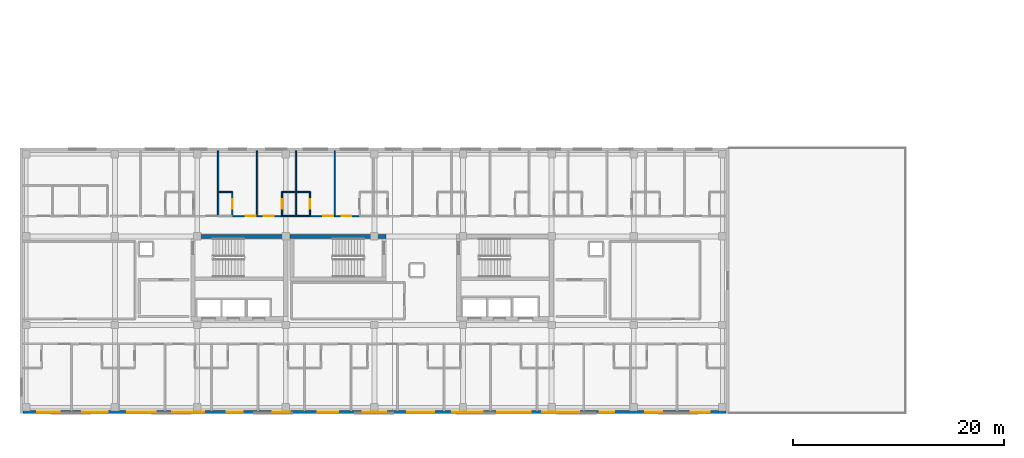
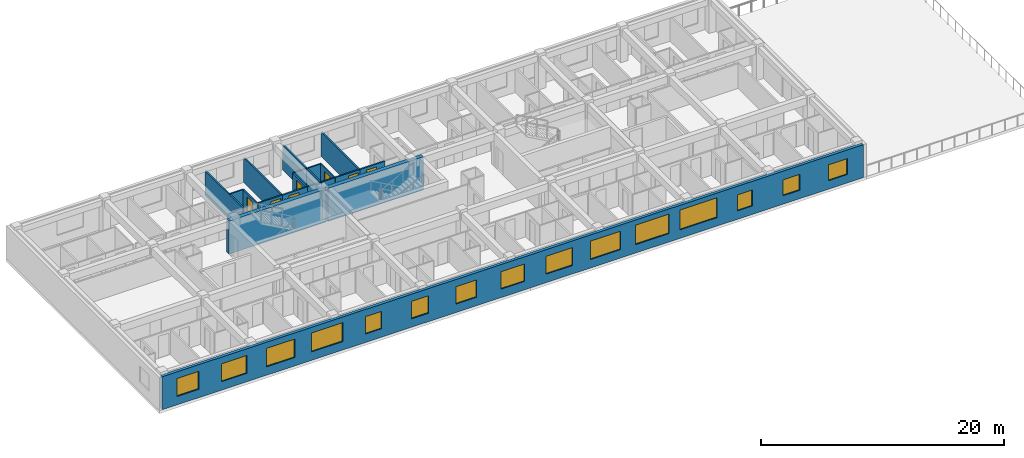
# One storey, part 5 of 13: 19 walls, 15 windows, 7 doors, 22 openings.
"""IFC4 building model written with IfcOpenShell, lengths in metres."""

from ifc_helpers import new_model, si_unit, direction, frame, frame_2d, origin, place, context, subcontext, project, spatial, rectangle, extrude, material, layer, layer_set, type_object, element, fill, save


model = new_model("IFC4")

# Units and contexts
model_context = context("Model", 3, precision=1e-05, world=origin(), true_north=direction((0.0, 1.0)))
body_context = subcontext(model_context, "Body", "Model", "MODEL_VIEW")
ifc_project = project(units=[si_unit("LENGTHUNIT", "METRE"), si_unit("AREAUNIT", "SQUARE_METRE"), si_unit("VOLUMEUNIT", "CUBIC_METRE"), si_unit("PLANEANGLEUNIT", "RADIAN"), si_unit("MASSUNIT", "GRAM", prefix="KILO")], contexts=[model_context])

# Site, building, storey
site_placement = place(None, origin())
site = spatial("IfcSite", under=ifc_project, at=site_placement, CompositionType="ELEMENT")
building_placement = place(site_placement, origin())
building = spatial("IfcBuilding", under=site, at=building_placement, Name="Zayran Congress Hotel", CompositionType="ELEMENT")
storey_placement = place(building_placement, frame((0.0, 0.0, 22.800048828125)))
storey = spatial("IfcBuildingStorey", under=building, at=storey_placement, Name="L05", CompositionType="ELEMENT", Elevation=22.800048828125)

# Wall, openings, windows
ifc_material_1 = material(Name="Hajar Ma'ani limestone cavity wall and concrete C32/40", Category="masonry")
ifc_layer_1 = layer(ifc_material_1, 0.280029296875)
ifc_layer_set_1 = layer_set([ifc_layer_1], Name="Hajar Ma'ani limestone cavity wall and concrete C32/40")
wall_type_1 = type_object("IfcWallType", Name="WL-EX-280", PredefinedType="SOLIDWALL", material=ifc_layer_set_1)
wall_1_placement = place(storey_placement, frame((75.320068359375, 8.93994140625, 0.0), z_axis=(0.0, 0.0, 1.0), x_axis=(-1.0, 0.0, 0.0)))
wall_1 = element("IfcWall", 1, at=wall_1_placement, inside=storey, type_object=wall_type_1, Name="EW-V5-S-L05", PredefinedType="SOLIDWALL", context=body_context, shape_type="SweptSolid", body=[
    extrude(rectangle(XDim=66.64013671875, YDim=0.280029296875, at=frame_2d((33.320068359375, 0.0))), origin(), (0.0, 0.0, 1.0), 3.320068359375),
])
opening_1_placement = place(wall_1_placement, frame((63.1630859375, 0.0, 0.85009765625)))
opening_1 = element("IfcOpeningElement", 2, at=opening_1_placement, cuts=wall_1, Name="Opening WN-02", PredefinedType="OPENING", context=body_context, shape_type="SweptSolid", body=[
    extrude(rectangle(XDim=2.10009765625, YDim=1.800048828125, at=frame_2d((1.050048828125, 0.89990234375))), frame((0.0, 0.14990234375, 0.0), z_axis=(0.0, -1.0, 0.0), x_axis=(1.0, 0.0, 0.0)), (0.0, 0.0, 1.0), 0.300048828125),
])
opening_2_placement = place(wall_1_placement, frame((58.60009765625, 0.0, 0.85009765625)))
opening_2 = element("IfcOpeningElement", 3, at=opening_2_placement, cuts=wall_1, Name="Opening WN-03", PredefinedType="OPENING", context=body_context, shape_type="SweptSolid", body=[
    extrude(rectangle(XDim=2.39990234375, YDim=1.800048828125, at=frame_2d((1.199951171875, 0.89990234375))), frame((0.0, 0.14990234375, 0.0), z_axis=(0.0, -1.0, 0.0), x_axis=(1.0, 0.0, 0.0)), (0.0, 0.0, 1.0), 0.300048828125),
])
opening_3_placement = place(wall_1_placement, frame((54.035888671875, 0.0, 0.85009765625)))
opening_3 = element("IfcOpeningElement", 4, at=opening_3_placement, cuts=wall_1, Name="Opening WN-04", PredefinedType="OPENING", context=body_context, shape_type="SweptSolid", body=[
    extrude(rectangle(XDim=2.699951171875, YDim=1.85009765625, at=frame_2d((1.35009765625, 0.925048828125))), frame((0.0, 0.14990234375, 0.0), z_axis=(0.0, -1.0, 0.0), x_axis=(1.0, 0.0, 0.0)), (0.0, 0.0, 1.0), 0.300048828125),
])
opening_4_placement = place(wall_1_placement, frame((49.472900390625, 0.0, 0.85009765625)))
opening_4 = element("IfcOpeningElement", 5, at=opening_4_placement, cuts=wall_1, Name="Opening WN-05", PredefinedType="OPENING", context=body_context, shape_type="SweptSolid", body=[
    extrude(rectangle(XDim=3.0, YDim=1.89990234375, at=frame_2d((1.5, 0.949951171875))), frame((0.0, 0.14990234375, 0.0), z_axis=(0.0, -1.0, 0.0), x_axis=(1.0, 0.0, 0.0)), (0.0, 0.0, 1.0), 0.300048828125),
])
opening_5_placement = place(wall_1_placement, frame((45.81005859375, 0.0, 0.85009765625)))
opening_5 = element("IfcOpeningElement", 6, at=opening_5_placement, cuts=wall_1, Name="Opening WN-06", PredefinedType="OPENING", context=body_context, shape_type="SweptSolid", body=[
    extrude(rectangle(XDim=1.5, YDim=1.75, at=frame_2d((0.75, 0.875))), frame((0.0, 0.14990234375, 0.0), z_axis=(0.0, -1.0, 0.0), x_axis=(1.0, 0.0, 0.0)), (0.0, 0.0, 1.0), 0.300048828125),
])
opening_6_placement = place(wall_1_placement, frame((41.321044921875, 0.0, 0.85009765625)))
opening_6 = element("IfcOpeningElement", 7, at=opening_6_placement, cuts=wall_1, Name="Opening WN-07", PredefinedType="OPENING", context=body_context, shape_type="SweptSolid", body=[
    extrude(rectangle(XDim=1.64990234375, YDim=1.75, at=frame_2d((0.824951171875, 0.875))), frame((0.0, 0.14990234375, 0.0), z_axis=(0.0, -1.0, 0.0), x_axis=(1.0, 0.0, 0.0)), (0.0, 0.0, 1.0), 0.300048828125),
])
opening_7_placement = place(wall_1_placement, frame((36.758056640625, 0.0, 0.85009765625)))
opening_7 = element("IfcOpeningElement", 8, at=opening_7_placement, cuts=wall_1, Name="Opening WN-08", PredefinedType="OPENING", context=body_context, shape_type="SweptSolid", body=[
    extrude(rectangle(XDim=1.949951171875, YDim=1.75, at=frame_2d((0.97509765625, 0.875))), frame((0.0, 0.14990234375, 0.0), z_axis=(0.0, -1.0, 0.0), x_axis=(1.0, 0.0, 0.0)), (0.0, 0.0, 1.0), 0.300048828125),
])
opening_8_placement = place(wall_1_placement, frame((32.195068359375, 0.0, 0.85009765625)))
opening_8 = element("IfcOpeningElement", 9, at=opening_8_placement, cuts=wall_1, Name="Opening WN-09", PredefinedType="OPENING", context=body_context, shape_type="SweptSolid", body=[
    extrude(rectangle(XDim=2.25, YDim=1.75, at=frame_2d((1.125, 0.875))), frame((0.0, 0.14990234375, 0.0), z_axis=(0.0, -1.0, 0.0), x_axis=(1.0, 0.0, 0.0)), (0.0, 0.0, 1.0), 0.300048828125),
])
opening_9_placement = place(wall_1_placement, frame((27.631103515625, 0.0, 0.85009765625)))
opening_9 = element("IfcOpeningElement", 10, at=opening_9_placement, cuts=wall_1, Name="Opening WN-10", PredefinedType="OPENING", context=body_context, shape_type="SweptSolid", body=[
    extrude(rectangle(XDim=2.550048828125, YDim=1.800048828125, at=frame_2d((1.27490234375, 0.89990234375))), frame((0.0, 0.14990234375, 0.0), z_axis=(0.0, -1.0, 0.0), x_axis=(1.0, 0.0, 0.0)), (0.0, 0.0, 1.0), 0.300048828125),
])
opening_10_placement = place(wall_1_placement, frame((23.068115234375, 0.0, 0.85009765625)))
opening_10 = element("IfcOpeningElement", 11, at=opening_10_placement, cuts=wall_1, Name="Opening WN-11", PredefinedType="OPENING", context=body_context, shape_type="SweptSolid", body=[
    extrude(rectangle(XDim=2.85009765625, YDim=1.85009765625, at=frame_2d((1.425048828125, 0.925048828125))), frame((0.0, 0.14990234375, 0.0), z_axis=(0.0, -1.0, 0.0), x_axis=(1.0, 0.0, 0.0)), (0.0, 0.0, 1.0), 0.300048828125),
])
opening_11_placement = place(wall_1_placement, frame((18.47998046875, 0.0, 0.85009765625)))
opening_11 = element("IfcOpeningElement", 12, at=opening_11_placement, cuts=wall_1, Name="Opening WN-12", PredefinedType="OPENING", context=body_context, shape_type="SweptSolid", body=[
    extrude(rectangle(XDim=3.199951171875, YDim=1.949951171875, at=frame_2d((1.60009765625, 0.97509765625))), frame((0.0, 0.14990234375, 0.0), z_axis=(0.0, -1.0, 0.0), x_axis=(1.0, 0.0, 0.0)), (0.0, 0.0, 1.0), 0.300048828125),
])
opening_12_placement = place(wall_1_placement, frame((13.916015625, 0.0, 0.85009765625)))
opening_12 = element("IfcOpeningElement", 13, at=opening_12_placement, cuts=wall_1, Name="Opening WN-13", PredefinedType="OPENING", context=body_context, shape_type="SweptSolid", body=[
    extrude(rectangle(XDim=3.5, YDim=2.0, at=frame_2d((1.75, 1.0))), frame((0.0, 0.14990234375, 0.0), z_axis=(0.0, -1.0, 0.0), x_axis=(1.0, 0.0, 0.0)), (0.0, 0.0, 1.0), 0.300048828125),
])
opening_13_placement = place(wall_1_placement, frame((10.553955078125, 0.0, 0.85009765625)))
opening_13 = element("IfcOpeningElement", 14, at=opening_13_placement, cuts=wall_1, Name="Opening WN-14", PredefinedType="OPENING", context=body_context, shape_type="SweptSolid", body=[
    extrude(rectangle(XDim=1.39990234375, YDim=1.60009765625, at=frame_2d((0.699951171875, 0.800048828125))), frame((0.0, 0.14990234375, 0.0), z_axis=(0.0, -1.0, 0.0), x_axis=(1.0, 0.0, 0.0)), (0.0, 0.0, 1.0), 0.300048828125),
])
opening_14_placement = place(wall_1_placement, frame((6.0400390625, 0.0, 0.85009765625)))
opening_14 = element("IfcOpeningElement", 15, at=opening_14_placement, cuts=wall_1, Name="Opening WN-15", PredefinedType="OPENING", context=body_context, shape_type="SweptSolid", body=[
    extrude(rectangle(XDim=1.60009765625, YDim=1.60009765625, at=frame_2d((0.800048828125, 0.800048828125))), frame((0.0, 0.14990234375, 0.0), z_axis=(0.0, -1.0, 0.0), x_axis=(1.0, 0.0, 0.0)), (0.0, 0.0, 1.0), 0.300048828125),
])
opening_15_placement = place(wall_1_placement, frame((1.527099609375, 0.0, 0.85009765625)))
opening_15 = element("IfcOpeningElement", 16, at=opening_15_placement, cuts=wall_1, Name="Opening WN-16", PredefinedType="OPENING", context=body_context, shape_type="SweptSolid", body=[
    extrude(rectangle(XDim=1.800048828125, YDim=1.60009765625, at=frame_2d((0.89990234375, 0.800048828125))), frame((0.0, 0.14990234375, 0.0), z_axis=(0.0, -1.0, 0.0), x_axis=(1.0, 0.0, 0.0)), (0.0, 0.0, 1.0), 0.300048828125),
])
ifc_material_2 = material(Name="Anodised aluminium and low-E insulated glass", Category="aluminium")
window_type_1 = type_object("IfcWindowType", Name="TP-WN-02", PartitioningType="DOUBLE_PANEL_VERTICAL", PredefinedType="WINDOW", material=ifc_material_2)
window_1_placement = place(opening_1_placement, origin())
window_1 = element("IfcWindow", 17, at=window_1_placement, inside=storey, type_object=window_type_1, Name="WIN-V5S-L05-0302", OverallHeight=1.800048828125, OverallWidth=2.10009765625, PartitioningType="SINGLE_PANEL", PredefinedType="WINDOW", context=body_context, shape_type="SweptSolid", body=[
    extrude(rectangle(XDim=2.10009765625, YDim=1.800048828125, at=frame_2d((1.050048828125, 0.89990234375))), frame((0.0, 0.030029296875, 0.0), z_axis=(0.0, -1.0, 0.0), x_axis=(1.0, 0.0, 0.0)), (0.0, 0.0, 1.0), 0.06005859375),
])
fill(opening_1, window_1)
window_type_2 = type_object("IfcWindowType", Name="TP-WN-03", PartitioningType="DOUBLE_PANEL_VERTICAL", PredefinedType="WINDOW", material=ifc_material_2)
window_2_placement = place(opening_2_placement, origin())
window_2 = element("IfcWindow", 18, at=window_2_placement, inside=storey, type_object=window_type_2, Name="WIN-V5S-L05-0303", OverallHeight=1.800048828125, OverallWidth=2.39990234375, PartitioningType="SINGLE_PANEL", PredefinedType="WINDOW", context=body_context, shape_type="SweptSolid", body=[
    extrude(rectangle(XDim=2.39990234375, YDim=1.800048828125, at=frame_2d((1.199951171875, 0.89990234375))), frame((0.0, 0.030029296875, 0.0), z_axis=(0.0, -1.0, 0.0), x_axis=(1.0, 0.0, 0.0)), (0.0, 0.0, 1.0), 0.06005859375),
])
fill(opening_2, window_2)
window_type_3 = type_object("IfcWindowType", Name="TP-WN-04", PartitioningType="TRIPLE_PANEL_VERTICAL", PredefinedType="WINDOW", material=ifc_material_2)
window_3_placement = place(opening_3_placement, origin())
window_3 = element("IfcWindow", 19, at=window_3_placement, inside=storey, type_object=window_type_3, Name="WIN-V5S-L05-0304", OverallHeight=1.85009765625, OverallWidth=2.699951171875, PartitioningType="SINGLE_PANEL", PredefinedType="WINDOW", context=body_context, shape_type="SweptSolid", body=[
    extrude(rectangle(XDim=2.699951171875, YDim=1.85009765625, at=frame_2d((1.35009765625, 0.925048828125))), frame((0.0, 0.030029296875, 0.0), z_axis=(0.0, -1.0, 0.0), x_axis=(1.0, 0.0, 0.0)), (0.0, 0.0, 1.0), 0.06005859375),
])
fill(opening_3, window_3)
window_type_4 = type_object("IfcWindowType", Name="TP-WN-05", PartitioningType="TRIPLE_PANEL_VERTICAL", PredefinedType="WINDOW", material=ifc_material_2)
window_4_placement = place(opening_4_placement, origin())
window_4 = element("IfcWindow", 20, at=window_4_placement, inside=storey, type_object=window_type_4, Name="WIN-V5S-L05-0305", OverallHeight=1.89990234375, OverallWidth=3.0, PartitioningType="SINGLE_PANEL", PredefinedType="WINDOW", context=body_context, shape_type="SweptSolid", body=[
    extrude(rectangle(XDim=3.0, YDim=1.89990234375, at=frame_2d((1.5, 0.949951171875))), frame((0.0, 0.030029296875, 0.0), z_axis=(0.0, -1.0, 0.0), x_axis=(1.0, 0.0, 0.0)), (0.0, 0.0, 1.0), 0.06005859375),
])
fill(opening_4, window_4)
window_type_5 = type_object("IfcWindowType", Name="TP-WN-06", PartitioningType="SINGLE_PANEL", PredefinedType="WINDOW", material=ifc_material_2)
window_5_placement = place(opening_5_placement, origin())
window_5 = element("IfcWindow", 21, at=window_5_placement, inside=storey, type_object=window_type_5, Name="WIN-V5S-L05-0306", OverallHeight=1.75, OverallWidth=1.5, PartitioningType="SINGLE_PANEL", PredefinedType="WINDOW", context=body_context, shape_type="SweptSolid", body=[
    extrude(rectangle(XDim=1.5, YDim=1.75, at=frame_2d((0.75, 0.875))), frame((0.0, 0.030029296875, 0.0), z_axis=(0.0, -1.0, 0.0), x_axis=(1.0, 0.0, 0.0)), (0.0, 0.0, 1.0), 0.06005859375),
])
fill(opening_5, window_5)
window_type_6 = type_object("IfcWindowType", Name="TP-WN-07", PartitioningType="SINGLE_PANEL", PredefinedType="WINDOW", material=ifc_material_2)
window_6_placement = place(opening_6_placement, origin())
window_6 = element("IfcWindow", 22, at=window_6_placement, inside=storey, type_object=window_type_6, Name="WIN-V5S-L05-0307", OverallHeight=1.75, OverallWidth=1.64990234375, PartitioningType="SINGLE_PANEL", PredefinedType="WINDOW", context=body_context, shape_type="SweptSolid", body=[
    extrude(rectangle(XDim=1.64990234375, YDim=1.75, at=frame_2d((0.824951171875, 0.875))), frame((0.0, 0.030029296875, 0.0), z_axis=(0.0, -1.0, 0.0), x_axis=(1.0, 0.0, 0.0)), (0.0, 0.0, 1.0), 0.06005859375),
])
fill(opening_6, window_6)
window_type_7 = type_object("IfcWindowType", Name="TP-WN-08", PartitioningType="DOUBLE_PANEL_VERTICAL", PredefinedType="WINDOW", material=ifc_material_2)
window_7_placement = place(opening_7_placement, origin())
window_7 = element("IfcWindow", 23, at=window_7_placement, inside=storey, type_object=window_type_7, Name="WIN-V5S-L05-0308", OverallHeight=1.75, OverallWidth=1.949951171875, PartitioningType="SINGLE_PANEL", PredefinedType="WINDOW", context=body_context, shape_type="SweptSolid", body=[
    extrude(rectangle(XDim=1.949951171875, YDim=1.75, at=frame_2d((0.97509765625, 0.875))), frame((0.0, 0.030029296875, 0.0), z_axis=(0.0, -1.0, 0.0), x_axis=(1.0, 0.0, 0.0)), (0.0, 0.0, 1.0), 0.06005859375),
])
fill(opening_7, window_7)
window_type_8 = type_object("IfcWindowType", Name="TP-WN-09", PartitioningType="DOUBLE_PANEL_VERTICAL", PredefinedType="WINDOW", material=ifc_material_2)
window_8_placement = place(opening_8_placement, origin())
window_8 = element("IfcWindow", 24, at=window_8_placement, inside=storey, type_object=window_type_8, Name="WIN-V5S-L05-0309", OverallHeight=1.75, OverallWidth=2.25, PartitioningType="SINGLE_PANEL", PredefinedType="WINDOW", context=body_context, shape_type="SweptSolid", body=[
    extrude(rectangle(XDim=2.25, YDim=1.75, at=frame_2d((1.125, 0.875))), frame((0.0, 0.030029296875, 0.0), z_axis=(0.0, -1.0, 0.0), x_axis=(1.0, 0.0, 0.0)), (0.0, 0.0, 1.0), 0.06005859375),
])
fill(opening_8, window_8)
window_type_9 = type_object("IfcWindowType", Name="TP-WN-10", PartitioningType="DOUBLE_PANEL_VERTICAL", PredefinedType="WINDOW", material=ifc_material_2)
window_9_placement = place(opening_9_placement, origin())
window_9 = element("IfcWindow", 25, at=window_9_placement, inside=storey, type_object=window_type_9, Name="WIN-V5S-L05-0310", OverallHeight=1.800048828125, OverallWidth=2.550048828125, PartitioningType="SINGLE_PANEL", PredefinedType="WINDOW", context=body_context, shape_type="SweptSolid", body=[
    extrude(rectangle(XDim=2.550048828125, YDim=1.800048828125, at=frame_2d((1.27490234375, 0.89990234375))), frame((0.0, 0.030029296875, 0.0), z_axis=(0.0, -1.0, 0.0), x_axis=(1.0, 0.0, 0.0)), (0.0, 0.0, 1.0), 0.06005859375),
])
fill(opening_9, window_9)
window_type_10 = type_object("IfcWindowType", Name="TP-WN-11", PartitioningType="TRIPLE_PANEL_VERTICAL", PredefinedType="WINDOW", material=ifc_material_2)
window_10_placement = place(opening_10_placement, origin())
window_10 = element("IfcWindow", 26, at=window_10_placement, inside=storey, type_object=window_type_10, Name="WIN-V5S-L05-0311", OverallHeight=1.85009765625, OverallWidth=2.85009765625, PartitioningType="SINGLE_PANEL", PredefinedType="WINDOW", context=body_context, shape_type="SweptSolid", body=[
    extrude(rectangle(XDim=2.85009765625, YDim=1.85009765625, at=frame_2d((1.425048828125, 0.925048828125))), frame((0.0, 0.030029296875, 0.0), z_axis=(0.0, -1.0, 0.0), x_axis=(1.0, 0.0, 0.0)), (0.0, 0.0, 1.0), 0.06005859375),
])
fill(opening_10, window_10)
window_type_11 = type_object("IfcWindowType", Name="TP-WN-12", PartitioningType="TRIPLE_PANEL_VERTICAL", PredefinedType="WINDOW", material=ifc_material_2)
window_11_placement = place(opening_11_placement, origin())
window_11 = element("IfcWindow", 27, at=window_11_placement, inside=storey, type_object=window_type_11, Name="WIN-V5S-L05-0312", OverallHeight=1.949951171875, OverallWidth=3.199951171875, PartitioningType="SINGLE_PANEL", PredefinedType="WINDOW", context=body_context, shape_type="SweptSolid", body=[
    extrude(rectangle(XDim=3.199951171875, YDim=1.949951171875, at=frame_2d((1.60009765625, 0.97509765625))), frame((0.0, 0.030029296875, 0.0), z_axis=(0.0, -1.0, 0.0), x_axis=(1.0, 0.0, 0.0)), (0.0, 0.0, 1.0), 0.06005859375),
])
fill(opening_11, window_11)
window_type_12 = type_object("IfcWindowType", Name="TP-WN-13", PartitioningType="TRIPLE_PANEL_VERTICAL", PredefinedType="WINDOW", material=ifc_material_2)
window_12_placement = place(opening_12_placement, origin())
window_12 = element("IfcWindow", 28, at=window_12_placement, inside=storey, type_object=window_type_12, Name="WIN-V5S-L05-0313", OverallHeight=2.0, OverallWidth=3.5, PartitioningType="SINGLE_PANEL", PredefinedType="WINDOW", context=body_context, shape_type="SweptSolid", body=[
    extrude(rectangle(XDim=3.5, YDim=2.0, at=frame_2d((1.75, 1.0))), frame((0.0, 0.030029296875, 0.0), z_axis=(0.0, -1.0, 0.0), x_axis=(1.0, 0.0, 0.0)), (0.0, 0.0, 1.0), 0.06005859375),
])
fill(opening_12, window_12)
window_type_13 = type_object("IfcWindowType", Name="TP-WN-14", PartitioningType="SINGLE_PANEL", PredefinedType="WINDOW", material=ifc_material_2)
window_13_placement = place(opening_13_placement, origin())
window_13 = element("IfcWindow", 29, at=window_13_placement, inside=storey, type_object=window_type_13, Name="WIN-V5S-L05-0314", OverallHeight=1.60009765625, OverallWidth=1.39990234375, PartitioningType="SINGLE_PANEL", PredefinedType="WINDOW", context=body_context, shape_type="SweptSolid", body=[
    extrude(rectangle(XDim=1.39990234375, YDim=1.60009765625, at=frame_2d((0.699951171875, 0.800048828125))), frame((0.0, 0.030029296875, 0.0), z_axis=(0.0, -1.0, 0.0), x_axis=(1.0, 0.0, 0.0)), (0.0, 0.0, 1.0), 0.06005859375),
])
fill(opening_13, window_13)
window_type_14 = type_object("IfcWindowType", Name="TP-WN-15", PartitioningType="SINGLE_PANEL", PredefinedType="WINDOW", material=ifc_material_2)
window_14_placement = place(opening_14_placement, origin())
window_14 = element("IfcWindow", 30, at=window_14_placement, inside=storey, type_object=window_type_14, Name="WIN-V5S-L05-0315", OverallHeight=1.60009765625, OverallWidth=1.60009765625, PartitioningType="SINGLE_PANEL", PredefinedType="WINDOW", context=body_context, shape_type="SweptSolid", body=[
    extrude(rectangle(XDim=1.60009765625, YDim=1.60009765625, at=frame_2d((0.800048828125, 0.800048828125))), frame((0.0, 0.030029296875, 0.0), z_axis=(0.0, -1.0, 0.0), x_axis=(1.0, 0.0, 0.0)), (0.0, 0.0, 1.0), 0.06005859375),
])
fill(opening_14, window_14)
window_type_15 = type_object("IfcWindowType", Name="TP-WN-16", PartitioningType="DOUBLE_PANEL_VERTICAL", PredefinedType="WINDOW", material=ifc_material_2)
window_15_placement = place(opening_15_placement, origin())
window_15 = element("IfcWindow", 31, at=window_15_placement, inside=storey, type_object=window_type_15, Name="WIN-V5S-L05-0316", OverallHeight=1.60009765625, OverallWidth=1.800048828125, PartitioningType="SINGLE_PANEL", PredefinedType="WINDOW", context=body_context, shape_type="SweptSolid", body=[
    extrude(rectangle(XDim=1.800048828125, YDim=1.60009765625, at=frame_2d((0.89990234375, 0.800048828125))), frame((0.0, 0.030029296875, 0.0), z_axis=(0.0, -1.0, 0.0), x_axis=(1.0, 0.0, 0.0)), (0.0, 0.0, 1.0), 0.06005859375),
])
fill(opening_15, window_15)

# Walls
ifc_material_3 = material(Name="Concrete C40/50", Category="concrete")
ifc_layer_2 = layer(ifc_material_3, 0.39990234375)
ifc_layer_set_2 = layer_set([ifc_layer_2], Name="Concrete C40/50")
wall_type_2 = type_object("IfcWallType", Name="WL-SH-400", PredefinedType="SHEAR", material=ifc_layer_set_2)
wall_2_placement = place(storey_placement, frame((33.800048828125, 25.5849609375, 0.0), z_axis=(0.0, 0.0, 1.0), x_axis=(-1.0, 0.0, 0.0)))
element("IfcWall", 32, at=wall_2_placement, inside=storey, type_object=wall_type_2, Name="CWALL-C-V5W-L05-N", PredefinedType="SHEAR", context=body_context, shape_type="SweptSolid", body=[
    extrude(rectangle(XDim=9.199951171875, YDim=0.39990234375, at=frame_2d((4.60009765625, 0.0))), origin(), (0.0, 0.0, 1.0), 3.320068359375),
])
wall_3_placement = place(storey_placement, frame((43.10009765625, 25.5849609375, 0.0), z_axis=(0.0, 0.0, 1.0), x_axis=(-1.0, 0.0, 0.0)))
element("IfcWall", 33, at=wall_3_placement, inside=storey, type_object=wall_type_2, Name="CWALL-C-V5M-L05-N", PredefinedType="SHEAR", context=body_context, shape_type="SweptSolid", body=[
    extrude(rectangle(XDim=9.10009765625, YDim=0.39990234375, at=frame_2d((4.550048828125, 0.0))), origin(), (0.0, 0.0, 1.0), 3.320068359375),
])

# Wall, opening, door
ifc_material_4 = material(Name="Hospitality guestroom acoustic partition", Category="gypsum")
ifc_layer_3 = layer(ifc_material_4, 0.139892578125)
ifc_layer_set_3 = layer_set([ifc_layer_3], Name="Hospitality guestroom acoustic partition")
wall_type_3 = type_object("IfcWallType", Name="WL-PT-140", PredefinedType="PARTITIONING", material=ifc_layer_set_3)
wall_4_placement = place(storey_placement, frame((28.529052734375, 27.530029296875, 0.0), z_axis=(0.0, 0.0, 1.0), x_axis=(1.0, 0.0, 0.0)))
wall_4 = element("IfcWall", 34, at=wall_4_placement, inside=storey, type_object=wall_type_3, Name="IW-L05-0676", PredefinedType="PARTITIONING", context=body_context, shape_type="SweptSolid", body=[
    extrude(rectangle(XDim=2.344970703125, YDim=0.139892578125, at=frame_2d((1.17236328125, 0.0))), origin(), (0.0, 0.0, 1.0), 2.47998046875),
])
opening_16_placement = place(wall_4_placement, frame((1.264892578125, 0.0, 0.0)))
opening_16 = element("IfcOpeningElement", 35, at=opening_16_placement, cuts=wall_4, Name="Opening DR-GR-01", PredefinedType="OPENING", context=body_context, shape_type="SweptSolid", body=[
    extrude(rectangle(XDim=0.93994140625, YDim=2.199951171875, at=frame_2d((0.469970703125, 1.10009765625))), frame((0.0, 0.079833984375, 0.0), z_axis=(0.0, -1.0, 0.0), x_axis=(1.0, 0.0, 0.0)), (0.0, 0.0, 1.0), 0.159912109375),
])
ifc_material_5 = material(Name="Acoustic walnut veneer fire-rated entry door", Category="wood")
door_type_1 = type_object("IfcDoorType", Name="TP-DR-GR-01", OperationType="NOTDEFINED", PredefinedType="DOOR", material=ifc_material_5)
door_1_placement = place(opening_16_placement, origin())
door_1 = element("IfcDoor", 36, at=door_1_placement, inside=storey, type_object=door_type_1, Name="Guest Room L05-18 Door", OperationType="SINGLE_SWING_RIGHT", OverallHeight=2.199951171875, OverallWidth=0.93994140625, PredefinedType="DOOR", context=body_context, shape_type="SweptSolid", body=[
    extrude(rectangle(XDim=0.93994140625, YDim=2.199951171875, at=frame_2d((0.469970703125, 1.10009765625))), frame((0.0, 0.02490234375, 0.0), z_axis=(0.0, -1.0, 0.0), x_axis=(1.0, 0.0, 0.0)), (0.0, 0.0, 1.0), 0.050048828125),
])
fill(opening_16, door_1)

wall_5_placement = place(storey_placement, frame((30.89404296875, 27.530029296875, 0.0), z_axis=(0.0, 0.0, 1.0), x_axis=(1.0, 0.0, 0.0)))
wall_5 = element("IfcWall", 37, at=wall_5_placement, inside=storey, type_object=wall_type_3, Name="IW-L05-0677", PredefinedType="PARTITIONING", context=body_context, shape_type="SweptSolid", body=[
    extrude(rectangle(XDim=2.344970703125, YDim=0.139892578125, at=frame_2d((1.17236328125, 0.0))), origin(), (0.0, 0.0, 1.0), 2.47998046875),
])
opening_17_placement = place(wall_5_placement, frame((0.6220703125, 0.0, 0.0)))
opening_17 = element("IfcOpeningElement", 38, at=opening_17_placement, cuts=wall_5, Name="Opening DR-GR-01", PredefinedType="OPENING", context=body_context, shape_type="SweptSolid", body=[
    extrude(rectangle(XDim=0.93994140625, YDim=2.199951171875, at=frame_2d((0.469970703125, 1.10009765625))), frame((0.0, 0.079833984375, 0.0), z_axis=(0.0, -1.0, 0.0), x_axis=(1.0, 0.0, 0.0)), (0.0, 0.0, 1.0), 0.159912109375),
])
door_2_placement = place(opening_17_placement, origin())
door_2 = element("IfcDoor", 39, at=door_2_placement, inside=storey, type_object=door_type_1, Name="Guest Room L05-19 Door", OperationType="SINGLE_SWING_LEFT", OverallHeight=2.199951171875, OverallWidth=0.93994140625, PredefinedType="DOOR", context=body_context, shape_type="SweptSolid", body=[
    extrude(rectangle(XDim=0.93994140625, YDim=2.199951171875, at=frame_2d((0.469970703125, 1.10009765625))), frame((0.0, 0.02490234375, 0.0), z_axis=(0.0, -1.0, 0.0), x_axis=(1.0, 0.0, 0.0)), (0.0, 0.0, 1.0), 0.050048828125),
])
fill(opening_17, door_2)

wall_6_placement = place(storey_placement, frame((35.89892578125, 27.530029296875, 0.0), z_axis=(0.0, 0.0, 1.0), x_axis=(1.0, 0.0, 0.0)))
wall_6 = element("IfcWall", 40, at=wall_6_placement, inside=storey, type_object=wall_type_3, Name="IW-L05-0678", PredefinedType="PARTITIONING", context=body_context, shape_type="SweptSolid", body=[
    extrude(rectangle(XDim=2.343994140625, YDim=0.139892578125, at=frame_2d((1.171875, 0.0))), origin(), (0.0, 0.0, 1.0), 2.47998046875),
])
opening_18_placement = place(wall_6_placement, frame((1.263916015625, 0.0, 0.0)))
opening_18 = element("IfcOpeningElement", 41, at=opening_18_placement, cuts=wall_6, Name="Opening DR-GR-01", PredefinedType="OPENING", context=body_context, shape_type="SweptSolid", body=[
    extrude(rectangle(XDim=0.93994140625, YDim=2.199951171875, at=frame_2d((0.469970703125, 1.10009765625))), frame((0.0, 0.079833984375, 0.0), z_axis=(0.0, -1.0, 0.0), x_axis=(1.0, 0.0, 0.0)), (0.0, 0.0, 1.0), 0.159912109375),
])
door_3_placement = place(opening_18_placement, origin())
door_3 = element("IfcDoor", 42, at=door_3_placement, inside=storey, type_object=door_type_1, Name="Guest Room L05-20 Door", OperationType="SINGLE_SWING_RIGHT", OverallHeight=2.199951171875, OverallWidth=0.93994140625, PredefinedType="DOOR", context=body_context, shape_type="SweptSolid", body=[
    extrude(rectangle(XDim=0.93994140625, YDim=2.199951171875, at=frame_2d((0.469970703125, 1.10009765625))), frame((0.0, 0.02490234375, 0.0), z_axis=(0.0, -1.0, 0.0), x_axis=(1.0, 0.0, 0.0)), (0.0, 0.0, 1.0), 0.050048828125),
])
fill(opening_18, door_3)

wall_7_placement = place(storey_placement, frame((38.262939453125, 27.530029296875, 0.0), z_axis=(0.0, 0.0, 1.0), x_axis=(1.0, 0.0, 0.0)))
wall_7 = element("IfcWall", 43, at=wall_7_placement, inside=storey, type_object=wall_type_3, Name="IW-L05-0679", PredefinedType="PARTITIONING", context=body_context, shape_type="SweptSolid", body=[
    extrude(rectangle(XDim=2.344970703125, YDim=0.139892578125, at=frame_2d((1.17236328125, 0.0))), origin(), (0.0, 0.0, 1.0), 2.47998046875),
])
opening_19_placement = place(wall_7_placement, frame((0.6220703125, 0.0, 0.0)))
opening_19 = element("IfcOpeningElement", 44, at=opening_19_placement, cuts=wall_7, Name="Opening DR-GR-01", PredefinedType="OPENING", context=body_context, shape_type="SweptSolid", body=[
    extrude(rectangle(XDim=0.93994140625, YDim=2.199951171875, at=frame_2d((0.469970703125, 1.10009765625))), frame((0.0, 0.079833984375, 0.0), z_axis=(0.0, -1.0, 0.0), x_axis=(1.0, 0.0, 0.0)), (0.0, 0.0, 1.0), 0.159912109375),
])
door_4_placement = place(opening_19_placement, origin())
door_4 = element("IfcDoor", 45, at=door_4_placement, inside=storey, type_object=door_type_1, Name="Guest Room L05-21 Door", OperationType="SINGLE_SWING_LEFT", OverallHeight=2.199951171875, OverallWidth=0.93994140625, PredefinedType="DOOR", context=body_context, shape_type="SweptSolid", body=[
    extrude(rectangle(XDim=0.93994140625, YDim=2.199951171875, at=frame_2d((0.469970703125, 1.10009765625))), frame((0.0, 0.02490234375, 0.0), z_axis=(0.0, -1.0, 0.0), x_axis=(1.0, 0.0, 0.0)), (0.0, 0.0, 1.0), 0.050048828125),
])
fill(opening_19, door_4)

# Walls
for number, where, z_axis, x_axis, name in (
    (46, (27.18896484375, 27.52001953125, 0.0), (0.0, 0.0, 1.0), (0.0, 1.0, 0.0), "IW-L05-2003"),
    (47, (30.8740234375, 27.52001953125, 0.0), (0.0, 0.0, 1.0), (0.0, 1.0, 0.0), "IW-L05-2004"),
    (48, (34.55908203125, 27.52001953125, 0.0), (0.0, 0.0, 1.0), (0.0, 1.0, 0.0), "IW-L05-2005"),
    (49, (38.242919921875, 27.52001953125, 0.0), (0.0, 0.0, 1.0), (0.0, 1.0, 0.0), "IW-L05-2006"),
):
    element("IfcWall", number, at=place(storey_placement, frame(where, z_axis=z_axis, x_axis=x_axis)), inside=storey, type_object=wall_type_3, Name=name, PredefinedType="PARTITIONING", context=body_context, shape_type="SweptSolid", body=[
        extrude(rectangle(XDim=6.199951171875, YDim=0.139892578125, at=frame_2d((3.10009765625, 0.0))), origin(), (0.0, 0.0, 1.0), 2.47998046875),
    ])

# Wall, opening, door
ifc_material_6 = material(Name="Moisture-resistant bathroom partition", Category="gypsum")
ifc_layer_4 = layer(ifc_material_6, 0.1201171875)
ifc_layer_set_4 = layer_set([ifc_layer_4], Name="Moisture-resistant bathroom partition")
wall_type_4 = type_object("IfcWallType", Name="WL-PT-120", PredefinedType="PARTITIONING", material=ifc_layer_set_4)
wall_8_placement = place(storey_placement, frame((28.529052734375, 27.52001953125, 0.0), z_axis=(0.0, 0.0, 1.0), x_axis=(0.0, 1.0, 0.0)))
wall_8 = element("IfcWall", 50, at=wall_8_placement, inside=storey, type_object=wall_type_4, Name="IW-L05-0178", PredefinedType="PARTITIONING", context=body_context, shape_type="SweptSolid", body=[
    extrude(rectangle(XDim=2.31005859375, YDim=0.1201171875, at=frame_2d((1.155029296875, 0.0))), origin(), (0.0, 0.0, 1.0), 2.47998046875),
])
opening_20_placement = place(wall_8_placement, frame((0.715087890625, 0.0, 0.0)))
opening_20 = element("IfcOpeningElement", 51, at=opening_20_placement, cuts=wall_8, Name="Opening DR-BT-01", PredefinedType="OPENING", context=body_context, shape_type="SweptSolid", body=[
    extrude(rectangle(XDim=0.8798828125, YDim=2.14990234375, at=frame_2d((0.43994140625, 1.074951171875))), frame((0.0, 0.070068359375, 0.0), z_axis=(0.0, -1.0, 0.0), x_axis=(1.0, 0.0, 0.0)), (0.0, 0.0, 1.0), 0.14013671875),
])
ifc_material_7 = material(Name="Moisture-resistant oak en-suite door", Category="wood")
door_type_2 = type_object("IfcDoorType", Name="TP-DR-BT-01", OperationType="NOTDEFINED", PredefinedType="DOOR", material=ifc_material_7)
door_5_placement = place(opening_20_placement, origin())
door_5 = element("IfcDoor", 52, at=door_5_placement, inside=storey, type_object=door_type_2, Name="En-Suite Bathroom L05-18 Door", OperationType="SINGLE_SWING_LEFT", OverallHeight=2.14990234375, OverallWidth=0.8798828125, PredefinedType="DOOR", context=body_context, shape_type="SweptSolid", body=[
    extrude(rectangle(XDim=0.8798828125, YDim=2.14990234375, at=frame_2d((0.43994140625, 1.074951171875))), frame((0.0, 0.02490234375, 0.0), z_axis=(0.0, -1.0, 0.0), x_axis=(1.0, 0.0, 0.0)), (0.0, 0.0, 1.0), 0.050048828125),
])
fill(opening_20, door_5)

wall_9_placement = place(storey_placement, frame((33.239013671875, 27.52001953125, 0.0), z_axis=(0.0, 0.0, 1.0), x_axis=(0.0, 1.0, 0.0)))
wall_9 = element("IfcWall", 53, at=wall_9_placement, inside=storey, type_object=wall_type_4, Name="IW-L05-0179", PredefinedType="PARTITIONING", context=body_context, shape_type="SweptSolid", body=[
    extrude(rectangle(XDim=2.31005859375, YDim=0.1201171875, at=frame_2d((1.155029296875, 0.0))), origin(), (0.0, 0.0, 1.0), 2.47998046875),
])
opening_21_placement = place(wall_9_placement, frame((0.715087890625, 0.0, 0.0)))
opening_21 = element("IfcOpeningElement", 54, at=opening_21_placement, cuts=wall_9, Name="Opening DR-BT-01", PredefinedType="OPENING", context=body_context, shape_type="SweptSolid", body=[
    extrude(rectangle(XDim=0.8798828125, YDim=2.14990234375, at=frame_2d((0.43994140625, 1.074951171875))), frame((0.0, 0.070068359375, 0.0), z_axis=(0.0, -1.0, 0.0), x_axis=(1.0, 0.0, 0.0)), (0.0, 0.0, 1.0), 0.14013671875),
])
door_6_placement = place(opening_21_placement, origin())
door_6 = element("IfcDoor", 55, at=door_6_placement, inside=storey, type_object=door_type_2, Name="En-Suite Bathroom L05-19 Door", OperationType="SINGLE_SWING_RIGHT", OverallHeight=2.14990234375, OverallWidth=0.8798828125, PredefinedType="DOOR", context=body_context, shape_type="SweptSolid", body=[
    extrude(rectangle(XDim=0.8798828125, YDim=2.14990234375, at=frame_2d((0.43994140625, 1.074951171875))), frame((0.0, 0.02490234375, 0.0), z_axis=(0.0, -1.0, 0.0), x_axis=(1.0, 0.0, 0.0)), (0.0, 0.0, 1.0), 0.050048828125),
])
fill(opening_21, door_6)

wall_10_placement = place(storey_placement, frame((35.89892578125, 27.52001953125, 0.0), z_axis=(0.0, 0.0, 1.0), x_axis=(0.0, 1.0, 0.0)))
wall_10 = element("IfcWall", 56, at=wall_10_placement, inside=storey, type_object=wall_type_4, Name="IW-L05-0180", PredefinedType="PARTITIONING", context=body_context, shape_type="SweptSolid", body=[
    extrude(rectangle(XDim=2.31005859375, YDim=0.1201171875, at=frame_2d((1.155029296875, 0.0))), origin(), (0.0, 0.0, 1.0), 2.47998046875),
])
opening_22_placement = place(wall_10_placement, frame((0.715087890625, 0.0, 0.0)))
opening_22 = element("IfcOpeningElement", 57, at=opening_22_placement, cuts=wall_10, Name="Opening DR-BT-01", PredefinedType="OPENING", context=body_context, shape_type="SweptSolid", body=[
    extrude(rectangle(XDim=0.8798828125, YDim=2.14990234375, at=frame_2d((0.43994140625, 1.074951171875))), frame((0.0, 0.070068359375, 0.0), z_axis=(0.0, -1.0, 0.0), x_axis=(1.0, 0.0, 0.0)), (0.0, 0.0, 1.0), 0.14013671875),
])
door_7_placement = place(opening_22_placement, origin())
door_7 = element("IfcDoor", 58, at=door_7_placement, inside=storey, type_object=door_type_2, Name="En-Suite Bathroom L05-20 Door", OperationType="SINGLE_SWING_LEFT", OverallHeight=2.14990234375, OverallWidth=0.8798828125, PredefinedType="DOOR", context=body_context, shape_type="SweptSolid", body=[
    extrude(rectangle(XDim=0.8798828125, YDim=2.14990234375, at=frame_2d((0.43994140625, 1.074951171875))), frame((0.0, 0.02490234375, 0.0), z_axis=(0.0, -1.0, 0.0), x_axis=(1.0, 0.0, 0.0)), (0.0, 0.0, 1.0), 0.050048828125),
])
fill(opening_22, door_7)

# Walls
for number, where, z_axis, x_axis, name in (
    (59, (27.198974609375, 29.820068359375, 0.0), (0.0, 0.0, 1.0), (1.0, 0.0, 0.0), "IW-L05-1224"),
    (60, (33.22900390625, 27.530029296875, 0.0), (0.0, 0.0, 1.0), (1.0, 0.0, 0.0), "IW-L05-1225"),
    (61, (33.22900390625, 29.820068359375, 0.0), (0.0, 0.0, 1.0), (1.0, 0.0, 0.0), "IW-L05-1226"),
):
    element("IfcWall", number, at=place(storey_placement, frame(where, z_axis=z_axis, x_axis=x_axis)), inside=storey, type_object=wall_type_4, Name=name, PredefinedType="PARTITIONING", context=body_context, shape_type="SweptSolid", body=[
        extrude(rectangle(XDim=1.340087890625, YDim=0.1201171875, at=frame_2d((0.669921875, 0.0))), origin(), (0.0, 0.0, 1.0), 2.47998046875),
    ])
for number, where, z_axis, x_axis, name in (
    (62, (34.569091796875, 27.530029296875, 0.0), (0.0, 0.0, 1.0), (1.0, 0.0, 0.0), "IW-L05-1227"),
    (63, (34.569091796875, 29.820068359375, 0.0), (0.0, 0.0, 1.0), (1.0, 0.0, 0.0), "IW-L05-1228"),
):
    element("IfcWall", number, at=place(storey_placement, frame(where, z_axis=z_axis, x_axis=x_axis)), inside=storey, type_object=wall_type_4, Name=name, PredefinedType="PARTITIONING", context=body_context, shape_type="SweptSolid", body=[
        extrude(rectangle(XDim=1.33984375, YDim=0.1201171875, at=frame_2d((0.669921875, 0.0))), origin(), (0.0, 0.0, 1.0), 2.47998046875),
    ])

save(model, "model.ifc")
